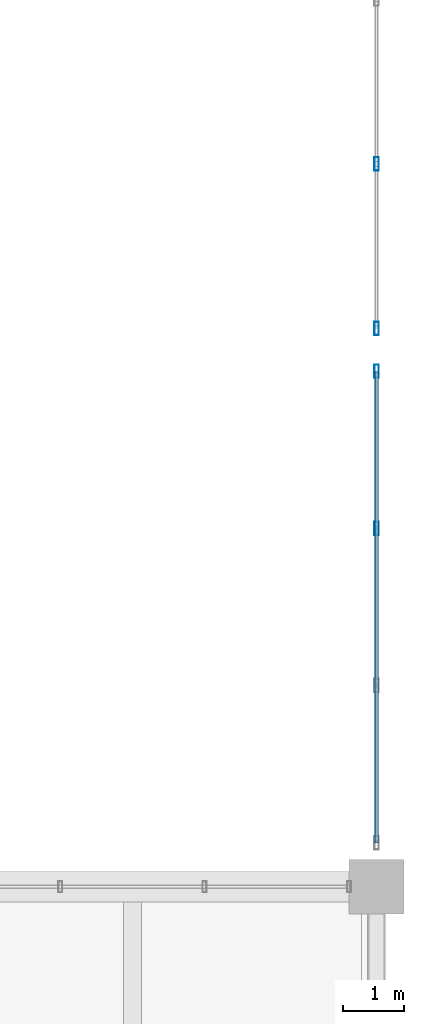
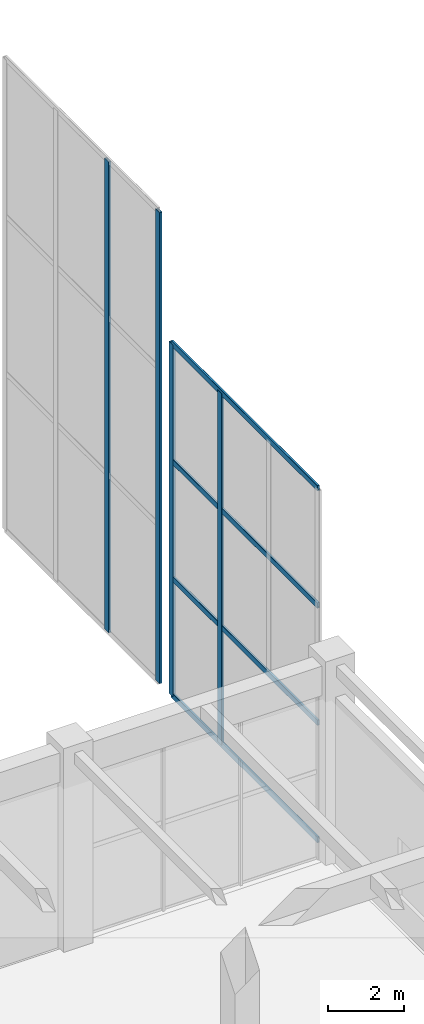
# One storey, part 104 of 163: 8 members, 2 elements without a shape of their own.
"""IFC4 building model written with IfcOpenShell, lengths in metres."""

from ifc_helpers import new_model, si_unit, direction, frame, origin, origin_2d, place, context, subcontext, project, spatial, hollow_rectangle, extrude, material, material_profile, profile_set, type_object, element, aggregate, save


model = new_model("IFC4")

# Units and contexts
model_context = context("Model", 3, precision=1e-05, world=origin(), true_north=direction((0.0, 1.0)))
body_context = subcontext(model_context, "Body", "Model", "MODEL_VIEW")
ifc_project = project(units=[si_unit("LENGTHUNIT", "METRE"), si_unit("AREAUNIT", "SQUARE_METRE"), si_unit("VOLUMEUNIT", "CUBIC_METRE"), si_unit("PLANEANGLEUNIT", "RADIAN"), si_unit("MASSUNIT", "GRAM", prefix="KILO")], contexts=[model_context])

# Site, building, storey
site_placement = place(None, origin())
site = spatial("IfcSite", under=ifc_project, at=site_placement, CompositionType="ELEMENT")
building_placement = place(site_placement, origin())
building = spatial("IfcBuilding", under=site, at=building_placement, Name="Varnabhumi Central Station", CompositionType="ELEMENT")
storey_placement = place(building_placement, frame((0.0, 0.0, 9.60009765625)))
storey = spatial("IfcBuildingStorey", under=building, at=storey_placement, Name="L02", CompositionType="ELEMENT", Elevation=9.60009765625)

# Curtain wall, members
ifc_material = material(Name="Anodised aluminium 6063-T6", Category="aluminium")
curtain_wall_type = type_object("IfcCurtainWallType", Name="CW-VAULT-ARCH-V5", PredefinedType="NOTDEFINED", material=ifc_material)
curtain_wall_1_placement = place(storey_placement, origin())
curtain_wall_1 = element("IfcCurtainWall", 1, at=curtain_wall_1_placement, inside=storey, type_object=curtain_wall_type, Name="Curtain Wall CW-WG1", PredefinedType="NOTDEFINED")
ifc_material_profile_1 = material_profile(ifc_material, hollow_rectangle(XDim=0.074951171875, YDim=0.219970703125, WallThickness=0.0048828125, InnerFilletRadius=0.0009765625, OuterFilletRadius=0.006103515625, at=origin_2d()), Name="Anodised aluminium 6063-T6", Category="aluminium")
ifc_profile_set_1 = profile_set([ifc_material_profile_1], Name="Anodised aluminium 6063-T6")
member_type_1 = type_object("IfcMemberType", Name="CW-MUL-220", PredefinedType="MULLION", material=ifc_profile_set_1)
member_1_placement = place(storey_placement, frame((184.0, 41.873291015625, 0.0), z_axis=(0.0, 0.0, 1.0), x_axis=(1.0, 0.0, 0.0)))
member_1 = element("IfcMember", 2, at=member_1_placement, type_object=member_type_1, Name="Curtain Wall Mullion CW-WG1-M3", PredefinedType="MULLION", context=body_context, shape_type="SweptSolid", body=[
    extrude(hollow_rectangle(XDim=0.074951171875, YDim=0.219970703125, WallThickness=0.0048828125, InnerFilletRadius=0.0009765625, OuterFilletRadius=0.006103515625, at=origin_2d()), origin(), (0.0, 0.0, 1.0), 11.346435546875),
])
member_2_placement = place(storey_placement, frame((184.0, 44.449951171875, 0.0), z_axis=(0.0, 0.0, 1.0), x_axis=(1.0, 0.0, 0.0)))
member_2 = element("IfcMember", 3, at=member_2_placement, type_object=member_type_1, Name="Curtain Wall Mullion CW-WG1-M4", PredefinedType="MULLION", context=body_context, shape_type="SweptSolid", body=[
    extrude(hollow_rectangle(XDim=0.074951171875, YDim=0.219970703125, WallThickness=0.0048828125, InnerFilletRadius=0.0009765625, OuterFilletRadius=0.006103515625, at=origin_2d()), origin(), (0.0, 0.0, 1.0), 11.346435546875),
])

curtain_wall_2_placement = place(storey_placement, origin())
curtain_wall_2 = element("IfcCurtainWall", 4, at=curtain_wall_2_placement, inside=storey, type_object=curtain_wall_type, Name="Curtain Wall CW-WG2", PredefinedType="NOTDEFINED")
member_3_placement = place(storey_placement, frame((184.0, 45.14990234375, 0.0), z_axis=(0.0, 0.0, 1.0), x_axis=(1.0, 0.0, 0.0)))
member_3 = element("IfcMember", 5, at=member_3_placement, type_object=member_type_1, Name="Curtain Wall Mullion CW-WG2-M1", PredefinedType="MULLION", context=body_context, shape_type="SweptSolid", body=[
    extrude(hollow_rectangle(XDim=0.074951171875, YDim=0.219970703125, WallThickness=0.0048828125, InnerFilletRadius=0.0009765625, OuterFilletRadius=0.006103515625, at=origin_2d()), origin(), (0.0, 0.0, 1.0), 15.20068359375),
])
member_4_placement = place(storey_placement, frame((184.0, 47.85009765625, 0.0), z_axis=(0.0, 0.0, 1.0), x_axis=(1.0, 0.0, 0.0)))
member_4 = element("IfcMember", 6, at=member_4_placement, type_object=member_type_1, Name="Curtain Wall Mullion CW-WG2-M2", PredefinedType="MULLION", context=body_context, shape_type="SweptSolid", body=[
    extrude(hollow_rectangle(XDim=0.074951171875, YDim=0.219970703125, WallThickness=0.0048828125, InnerFilletRadius=0.0009765625, OuterFilletRadius=0.006103515625, at=origin_2d()), origin(), (0.0, 0.0, 1.0), 15.20068359375),
])
aggregate(curtain_wall_2, [member_3, member_4])

# Member
ifc_material_profile_2 = material_profile(ifc_material, hollow_rectangle(XDim=0.06494140625, YDim=0.179931640625, WallThickness=0.00390625, InnerFilletRadius=0.001953125, OuterFilletRadius=0.006103515625, at=origin_2d()), Name="Anodised aluminium 6063-T6", Category="aluminium")
ifc_profile_set_2 = profile_set([ifc_material_profile_2], Name="Anodised aluminium 6063-T6")
member_type_2 = type_object("IfcMemberType", Name="CW-TR-180", PredefinedType="USERDEFINED", material=ifc_profile_set_2)
member_5_placement = place(storey_placement, frame((184.0, 36.719970703125, 0.0), z_axis=(0.0, 1.0, 0.0), x_axis=(-1.0, 0.0, 0.0)))
member_5 = element("IfcMember", 7, at=member_5_placement, type_object=member_type_2, Name="Curtain Wall Transom CW-WG1-T1", ObjectType="TRANSOM", PredefinedType="USERDEFINED", context=body_context, shape_type="SweptSolid", body=[
    extrude(hollow_rectangle(XDim=0.06494140625, YDim=0.179931640625, WallThickness=0.00390625, InnerFilletRadius=0.001953125, OuterFilletRadius=0.006103515625, at=origin_2d()), origin(), (0.0, 0.0, 1.0), 7.72998046875),
])

member_6_placement = place(storey_placement, frame((184.0, 36.719970703125, 3.781982421875), z_axis=(0.0, 1.0, 0.0), x_axis=(-1.0, 0.0, 0.0)))
member_6 = element("IfcMember", 8, at=member_6_placement, type_object=member_type_2, Name="Curtain Wall Transom CW-WG1-T2", ObjectType="TRANSOM", PredefinedType="USERDEFINED", context=body_context, shape_type="SweptSolid", body=[
    extrude(hollow_rectangle(XDim=0.06494140625, YDim=0.179931640625, WallThickness=0.00390625, InnerFilletRadius=0.001953125, OuterFilletRadius=0.006103515625, at=origin_2d()), origin(), (0.0, 0.0, 1.0), 7.72998046875),
])

member_7_placement = place(storey_placement, frame((184.0, 36.719970703125, 7.564208984375), z_axis=(0.0, 1.0, 0.0), x_axis=(-1.0, 0.0, 0.0)))
member_7 = element("IfcMember", 9, at=member_7_placement, type_object=member_type_2, Name="Curtain Wall Transom CW-WG1-T3", ObjectType="TRANSOM", PredefinedType="USERDEFINED", context=body_context, shape_type="SweptSolid", body=[
    extrude(hollow_rectangle(XDim=0.06494140625, YDim=0.179931640625, WallThickness=0.00390625, InnerFilletRadius=0.001953125, OuterFilletRadius=0.006103515625, at=origin_2d()), origin(), (0.0, 0.0, 1.0), 7.72998046875),
])

member_8_placement = place(storey_placement, frame((184.0, 36.719970703125, 11.346435546875), z_axis=(0.0, 1.0, 0.0), x_axis=(-1.0, 0.0, 0.0)))
member_8 = element("IfcMember", 10, at=member_8_placement, type_object=member_type_2, Name="Curtain Wall Transom CW-WG1-T4", ObjectType="TRANSOM", PredefinedType="USERDEFINED", context=body_context, shape_type="SweptSolid", body=[
    extrude(hollow_rectangle(XDim=0.06494140625, YDim=0.179931640625, WallThickness=0.00390625, InnerFilletRadius=0.001953125, OuterFilletRadius=0.006103515625, at=origin_2d()), origin(), (0.0, 0.0, 1.0), 7.72998046875),
])

aggregate(curtain_wall_1, [member_1, member_2, member_5, member_6, member_7, member_8])

save(model, "model.ifc")
